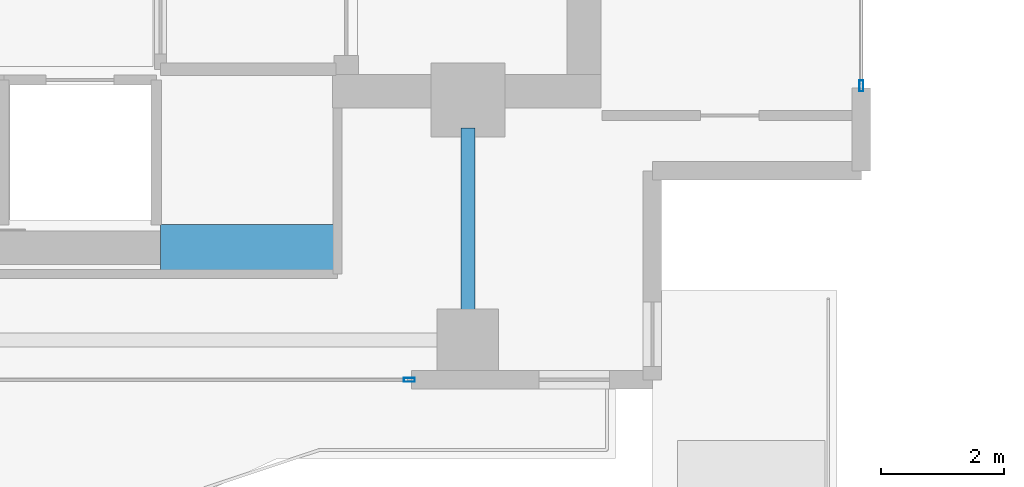
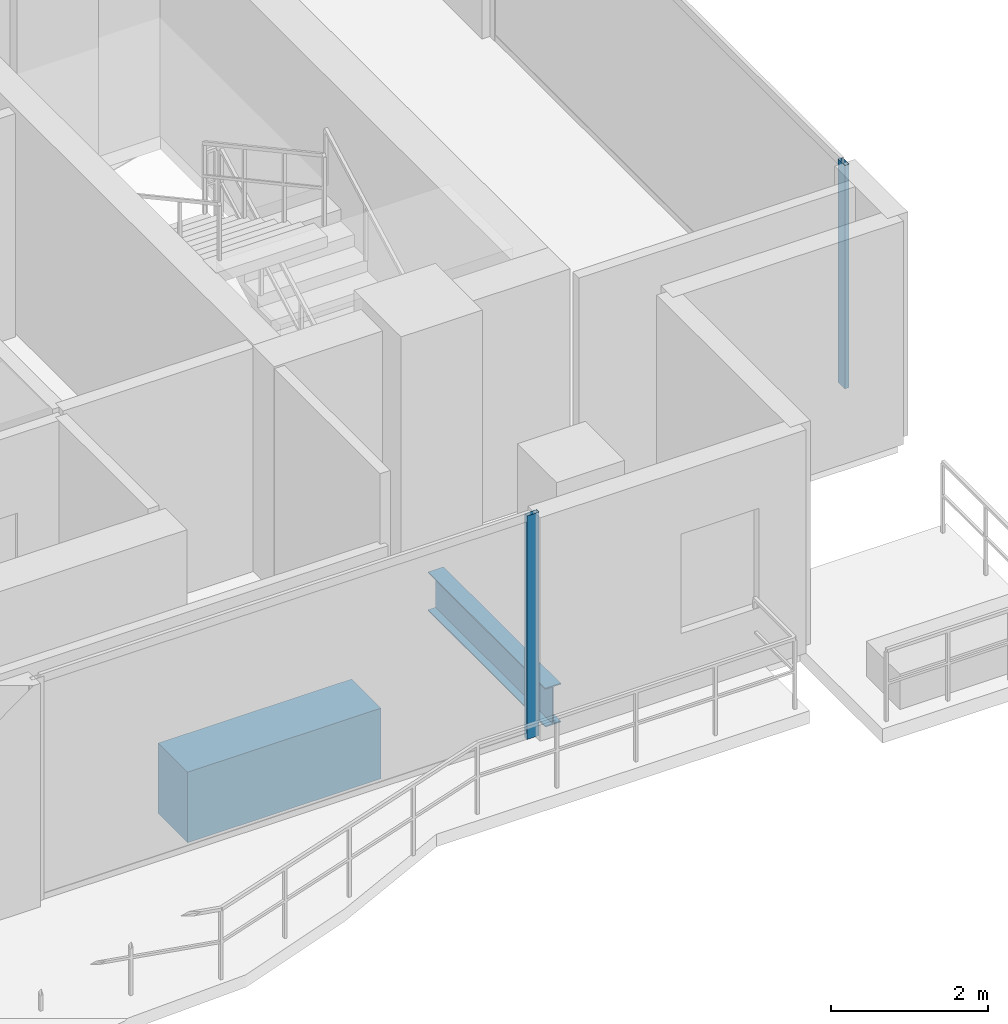
# One storey, part 8 of 25: 2 beams, 2 members, 2 elements without a shape of their own.
"""IFC4 building model written with IfcOpenShell, lengths in metres."""

from ifc_helpers import new_model, si_unit, direction, frame, origin, origin_2d, place, context, subcontext, project, spatial, rectangle, hollow_rectangle, i_section, extrude, material, layer, layer_set, material_profile, profile_set, type_object, element, aggregate, save


model = new_model("IFC4")

# Units and contexts
model_context = context("Model", 3, precision=1e-05, world=origin(), true_north=direction((0.0, 1.0)))
body_context = subcontext(model_context, "Body", "Model", "MODEL_VIEW")
ifc_project = project(units=[si_unit("LENGTHUNIT", "METRE"), si_unit("AREAUNIT", "SQUARE_METRE"), si_unit("VOLUMEUNIT", "CUBIC_METRE"), si_unit("PLANEANGLEUNIT", "RADIAN"), si_unit("MASSUNIT", "GRAM", prefix="KILO")], contexts=[model_context])

# Site, building, storey
site_placement = place(None, origin())
site = spatial("IfcSite", under=ifc_project, at=site_placement, CompositionType="ELEMENT")
building_placement = place(site_placement, origin())
building = spatial("IfcBuilding", under=site, at=building_placement, Name="Zuhayl Quay Hotel", CompositionType="ELEMENT")
storey_placement = place(building_placement, frame((0.0, 0.0, 258.14990234375)))
storey = spatial("IfcBuildingStorey", under=building, at=storey_placement, Name="L65", CompositionType="ELEMENT", Elevation=258.14990234375)

# Beams
ifc_material_1 = material(Name="Steel ASTM A992 Grade 50", Category="steel")
ifc_material_profile_1 = material_profile(ifc_material_1, i_section(OverallWidth=0.22802734375, OverallDepth=0.60693359375, WebThickness=0.01123046875, FlangeThickness=0.017333984375, at=origin_2d()), Name="W24X76")
ifc_profile_set_1 = profile_set([ifc_material_profile_1], Name="Steel ASTM A992 Grade 50")
beam_type_1 = type_object("IfcBeamType", Name="BM_B3_W24X76", PredefinedType="BEAM", material=ifc_profile_set_1)
beam_1_placement = place(storey_placement, frame((13.800048828125, 1.110107421875, -0.5234375), z_axis=(0.0, 1.0, 0.0), x_axis=(-1.0, 0.0, 0.0)))
element("IfcBeam", 1, at=beam_1_placement, inside=storey, type_object=beam_type_1, Name="L65 Floor Beam FG_S_L65_4", PredefinedType="BEAM", context=body_context, shape_type="SweptSolid", body=[
    extrude(i_section(OverallWidth=0.22802734375, OverallDepth=0.60693359375, WebThickness=0.01123046875, FlangeThickness=0.017333984375, at=origin_2d()), origin(), (0.0, 0.0, 1.0), 2.989990234375),
])
ifc_material_2 = material(Name="Concrete C60/75", Category="concrete")
ifc_material_profile_2 = material_profile(ifc_material_2, rectangle(XDim=0.75, YDim=1.10009765625, at=origin_2d()), Name="RC750X1100")
ifc_profile_set_2 = profile_set([ifc_material_profile_2], Name="Concrete C60/75")
beam_type_2 = type_object("IfcBeamType", Name="BM_CB2_RC750", PredefinedType="T_BEAM", material=ifc_profile_set_2)
beam_2_placement = place(storey_placement, frame((8.800048828125, 2.14990234375, -0.77001953125), z_axis=(1.0, 0.0, 0.0), x_axis=(0.0, 1.0, 0.0)))
element("IfcBeam", 2, at=beam_2_placement, inside=storey, type_object=beam_type_2, Name="L65 Core Coupling Beam SE", PredefinedType="T_BEAM", context=body_context, shape_type="SweptSolid", body=[
    extrude(rectangle(XDim=0.75, YDim=1.10009765625, at=origin_2d()), origin(), (0.0, 0.0, 1.0), 2.849853515625),
])

# Curtain wall, member
ifc_material_3 = material(Name="Anodised Aluminium 6063-T6", Category="aluminium")
ifc_layer = layer(ifc_material_3, 0.169921875, Name="Anodised Aluminium 6063-T6", Category="aluminium")
ifc_layer_set = layer_set([ifc_layer], Name="Anodised Aluminium 6063-T6")
curtain_wall_type = type_object("IfcCurtainWallType", Name="CW_SYS_Z4", PredefinedType="USERDEFINED", material=ifc_layer_set)
curtain_wall_1_placement = place(storey_placement, origin())
curtain_wall_1 = element("IfcCurtainWall", 3, at=curtain_wall_1_placement, inside=storey, type_object=curtain_wall_type, Name="L65 Curtain Wall ENV_L65_E14_CW1", ObjectType="UNITISED CURTAIN WALL", PredefinedType="USERDEFINED")
ifc_material_4 = material(Name="Black-anodised aluminium 6063-T6", Category="aluminium")
ifc_material_profile_3 = material_profile(ifc_material_4, hollow_rectangle(XDim=0.06494140625, YDim=0.179931640625, WallThickness=0.00341796875, at=origin_2d()), Name="ALU180X65")
ifc_profile_set_3 = profile_set([ifc_material_profile_3], Name="Black-anodised aluminium 6063-T6")
member_type = type_object("IfcMemberType", Name="MB_CW_MUL_180", PredefinedType="MULLION", material=ifc_profile_set_3)
member_1_placement = place(storey_placement, frame((20.199951171875, 4.782470703125, 0.0), z_axis=(0.0, 0.0, 1.0), x_axis=(1.0, 0.0, 0.0)))
member_1 = element("IfcMember", 4, at=member_1_placement, type_object=member_type, Name="CW-Z4 mullion 2", PredefinedType="MULLION", context=body_context, shape_type="SweptSolid", body=[
    extrude(hollow_rectangle(XDim=0.06494140625, YDim=0.179931640625, WallThickness=0.00341796875, at=origin_2d()), origin(), (0.0, 0.0, 1.0), 3.47998046875),
])
aggregate(curtain_wall_1, [member_1])

curtain_wall_2_placement = place(storey_placement, origin())
curtain_wall_2 = element("IfcCurtainWall", 5, at=curtain_wall_2_placement, inside=storey, type_object=curtain_wall_type, Name="L65 Curtain Wall ENV_L65_S_CW1", ObjectType="UNITISED CURTAIN WALL", PredefinedType="USERDEFINED")
member_2_placement = place(storey_placement, frame((12.847412109375, 0.0, 0.0), z_axis=(0.0, 0.0, 1.0), x_axis=(0.0, -1.0, 0.0)))
member_2 = element("IfcMember", 6, at=member_2_placement, type_object=member_type, Name="CW-Z4 mullion 1", PredefinedType="MULLION", context=body_context, shape_type="SweptSolid", body=[
    extrude(hollow_rectangle(XDim=0.06494140625, YDim=0.179931640625, WallThickness=0.00341796875, at=origin_2d()), origin(), (0.0, 0.0, 1.0), 3.47998046875),
])
aggregate(curtain_wall_2, [member_2])

save(model, "model.ifc")
